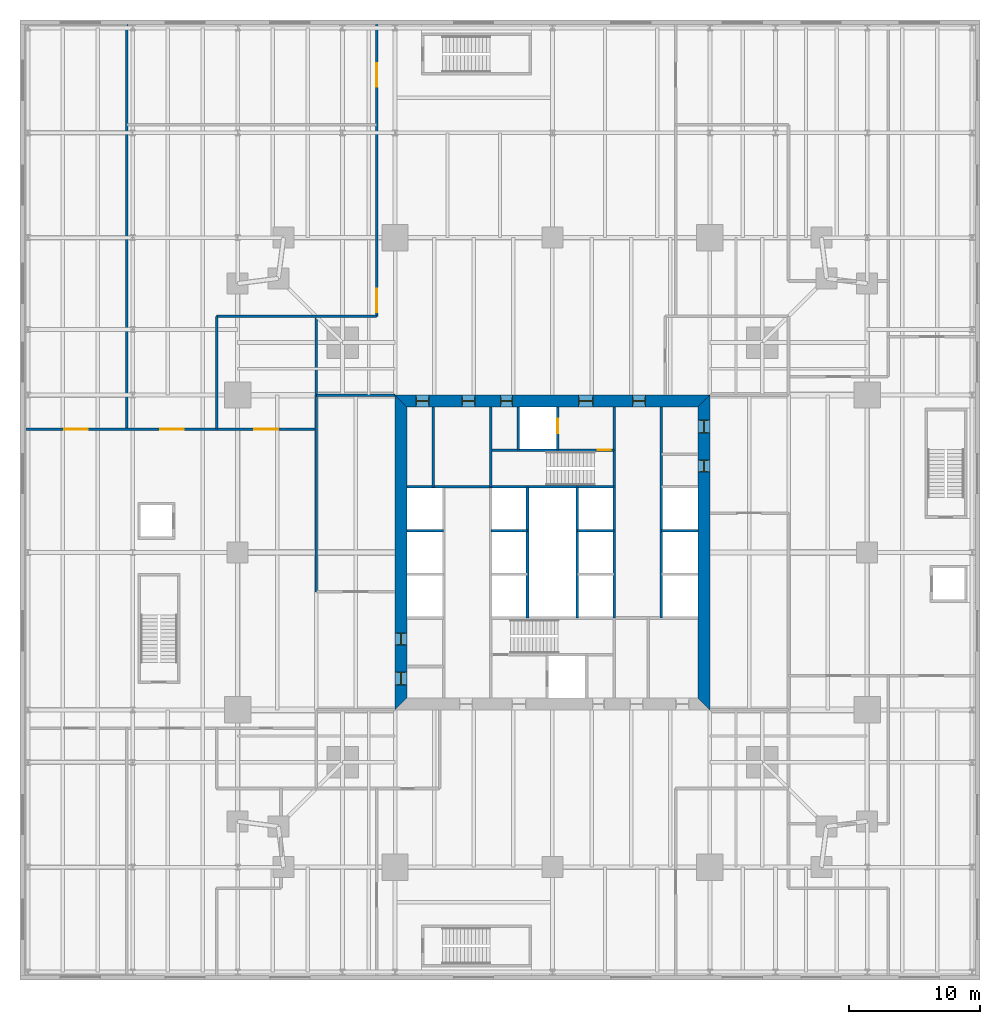
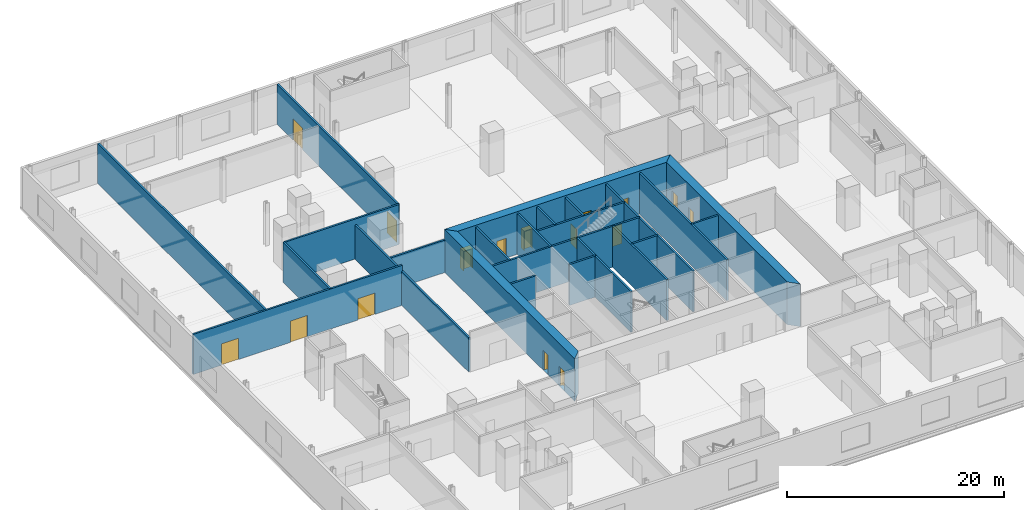
# One storey, part 11 of 16: 24 walls, 16 doors, 16 openings.
"""IFC4 building model written with IfcOpenShell, lengths in metres."""

from ifc_helpers import new_model, si_unit, direction, frame, frame_2d, origin, place, context, subcontext, project, spatial, polyline, rectangle, outline, extrude, material, layer, layer_set, type_object, element, fill, save


model = new_model("IFC4")

# Units and contexts
model_context = context("Model", 3, precision=1e-05, world=origin(), true_north=direction((0.0, 1.0)))
body_context = subcontext(model_context, "Body", "Model", "MODEL_VIEW")
ifc_project = project(units=[si_unit("LENGTHUNIT", "METRE"), si_unit("AREAUNIT", "SQUARE_METRE"), si_unit("VOLUMEUNIT", "CUBIC_METRE"), si_unit("PLANEANGLEUNIT", "RADIAN"), si_unit("MASSUNIT", "GRAM", prefix="KILO")], contexts=[model_context])

# Site, building, storey
site_placement = place(None, origin())
site = spatial("IfcSite", under=ifc_project, at=site_placement, CompositionType="ELEMENT")
building_placement = place(site_placement, origin())
building = spatial("IfcBuilding", under=site, at=building_placement, Name="Fenwick Lantern Interchange", CompositionType="ELEMENT")
storey_placement = place(building_placement, frame((0.0, 0.0, 16.60009765625)))
storey = spatial("IfcBuildingStorey", under=building, at=storey_placement, Name="L03", CompositionType="ELEMENT", Elevation=16.60009765625)

# Walls
ifc_material_1 = material(Name="Concrete masonry ASTM C90 Grade N", Category="masonry")
ifc_layer_1 = layer(ifc_material_1, 0.199951171875)
ifc_layer_set_1 = layer_set([ifc_layer_1], Name="Concrete masonry ASTM C90 Grade N")
wall_type_1 = type_object("IfcWallType", Name="CORE PARTITION 200", PredefinedType="PARTITIONING", material=ifc_layer_set_1)
for number, where, z_axis, x_axis, name in (
    (1, (13.89990234375, 26.666748046875, 0.0), (0.0, 0.0, 1.0), (1.0, 0.0, 0.0), "L03/W/CORES/d2"),
    (2, (20.300048828125, 26.666748046875, 0.0), (0.0, 0.0, 1.0), (1.0, 0.0, 0.0), "L03/W/CORES/e2"),
):
    element("IfcWall", number, at=place(storey_placement, frame(where, z_axis=z_axis, x_axis=x_axis)), inside=storey, type_object=wall_type_1, Name=name, PredefinedType="PARTITIONING", context=body_context, shape_type="SweptSolid", body=[
        extrude(rectangle(XDim=2.800048828125, YDim=0.199951171875, at=frame_2d((1.39990234375, 0.0))), origin(), (0.0, 0.0, 1.0), 4.599853515625),
    ])
wall_1_placement = place(storey_placement, frame((23.10009765625, 20.0, 0.0), z_axis=(0.0, 0.0, 1.0), x_axis=(0.0, 1.0, 0.0)))
element("IfcWall", 3, at=wall_1_placement, inside=storey, type_object=wall_type_1, Name="L03/W/CORES/e3", PredefinedType="PARTITIONING", context=body_context, shape_type="SweptSolid", body=[
    extrude(rectangle(XDim=10.0, YDim=0.199951171875, at=frame_2d((5.0, 0.0))), origin(), (0.0, 0.0, 1.0), 4.599853515625),
])
wall_2_placement = place(storey_placement, frame((33.300048828125, 36.10009765625, 0.0), z_axis=(0.0, 0.0, 1.0), x_axis=(0.0, -1.0, 0.0)))
element("IfcWall", 4, at=wall_2_placement, inside=storey, type_object=wall_type_1, Name="L03/W/COREN/a", PredefinedType="PARTITIONING", context=body_context, shape_type="SweptSolid", body=[
    extrude(rectangle(XDim=16.10009765625, YDim=0.199951171875, at=frame_2d((8.050048828125, 0.0))), origin(), (0.0, 0.0, 1.0), 4.599853515625),
])
for number, where, z_axis, x_axis, name in (
    (5, (36.10009765625, 26.666748046875, 0.0), (0.0, 0.0, 1.0), (-1.0, 0.0, 0.0), "L03/W/COREN/d1"),
    (6, (29.699951171875, 26.666748046875, 0.0), (0.0, 0.0, 1.0), (-1.0, 0.0, 0.0), "L03/W/COREN/e1"),
):
    element("IfcWall", number, at=place(storey_placement, frame(where, z_axis=z_axis, x_axis=x_axis)), inside=storey, type_object=wall_type_1, Name=name, PredefinedType="PARTITIONING", context=body_context, shape_type="SweptSolid", body=[
        extrude(rectangle(XDim=2.800048828125, YDim=0.199951171875, at=frame_2d((1.39990234375, 0.0))), origin(), (0.0, 0.0, 1.0), 4.599853515625),
    ])
wall_3_placement = place(storey_placement, frame((26.89990234375, 30.0, 0.0), z_axis=(0.0, 0.0, 1.0), x_axis=(0.0, -1.0, 0.0)))
element("IfcWall", 7, at=wall_3_placement, inside=storey, type_object=wall_type_1, Name="L03/W/COREN/e3", PredefinedType="PARTITIONING", context=body_context, shape_type="SweptSolid", body=[
    extrude(rectangle(XDim=10.0, YDim=0.199951171875, at=frame_2d((5.0, 0.0))), origin(), (0.0, 0.0, 1.0), 4.599853515625),
])

# Wall, opening, door
wall_4_placement = place(storey_placement, frame((25.39990234375, 36.10009765625, 0.0), z_axis=(0.0, 0.0, 1.0), x_axis=(0.0, -1.0, 0.0)))
wall_4 = element("IfcWall", 8, at=wall_4_placement, inside=storey, type_object=wall_type_1, Name="L03/W/COREN/h1", PredefinedType="PARTITIONING", context=body_context, shape_type="SweptSolid", body=[
    extrude(rectangle(XDim=3.300048828125, YDim=0.199951171875, at=frame_2d((1.64990234375, 0.0))), origin(), (0.0, 0.0, 1.0), 4.599853515625),
])
opening_1_placement = place(wall_4_placement, frame((0.89990234375, 0.0, 0.0)))
opening_1 = element("IfcOpeningElement", 9, at=opening_1_placement, cuts=wall_4, Name="Opening LD-FL2", PredefinedType="OPENING", context=body_context, shape_type="SweptSolid", body=[
    extrude(rectangle(XDim=1.10009765625, YDim=2.199951171875, at=frame_2d((0.550048828125, 1.10009765625))), frame((0.0, 0.10986328125, 0.0), z_axis=(0.0, -1.0, 0.0), x_axis=(1.0, 0.0, 0.0)), (0.0, 0.0, 1.0), 0.219970703125),
])
ifc_material_2 = material(Name="Steel door and frame", Category="steel")
door_type_1 = type_object("IfcDoorType", Name="LIFT LANDING DOOR 1100 X 2200", OperationType="DOUBLE_DOOR_SLIDING", PredefinedType="DOOR", material=ifc_material_2)
door_1_placement = place(opening_1_placement, origin())
door_1 = element("IfcDoor", 10, at=door_1_placement, inside=storey, type_object=door_type_1, Name="Lift landing door FL2", OperationType="DOUBLE_DOOR_SLIDING", OverallHeight=2.199951171875, OverallWidth=1.10009765625, PredefinedType="DOOR", context=body_context, shape_type="SweptSolid", body=[
    extrude(rectangle(XDim=1.10009765625, YDim=2.199951171875, at=frame_2d((0.550048828125, 1.10009765625))), frame((0.0, 0.02490234375, 0.0), z_axis=(0.0, -1.0, 0.0), x_axis=(1.0, 0.0, 0.0)), (0.0, 0.0, 1.0), 0.050048828125),
])
fill(opening_1, door_1)

# Walls
wall_5_placement = place(storey_placement, frame((22.39990234375, 36.10009765625, 0.0), z_axis=(0.0, 0.0, 1.0), x_axis=(0.0, -1.0, 0.0)))
element("IfcWall", 11, at=wall_5_placement, inside=storey, type_object=wall_type_1, Name="L03/W/COREN/h2", PredefinedType="PARTITIONING", context=body_context, shape_type="SweptSolid", body=[
    extrude(rectangle(XDim=3.300048828125, YDim=0.199951171875, at=frame_2d((1.64990234375, 0.0))), origin(), (0.0, 0.0, 1.0), 4.599853515625),
])
wall_6_placement = place(storey_placement, frame((15.89990234375, 36.10009765625, 0.0), z_axis=(0.0, 0.0, 1.0), x_axis=(0.0, -1.0, 0.0)))
element("IfcWall", 12, at=wall_6_placement, inside=storey, type_object=wall_type_1, Name="L03/W/COREN/i2", PredefinedType="PARTITIONING", context=body_context, shape_type="SweptSolid", body=[
    extrude(rectangle(XDim=6.10009765625, YDim=0.199951171875, at=frame_2d((3.050048828125, 0.0))), origin(), (0.0, 0.0, 1.0), 4.599853515625),
])

# Wall, openings, doors
ifc_material_3 = material(Name="Concrete f'c 70 MPa", Category="concrete")
ifc_layer_2 = layer(ifc_material_3, 0.89990234375)
ifc_layer_set_2 = layer_set([ifc_layer_2], Name="CORE WALL 900")
wall_type_2 = type_object("IfcWallType", Name="CORE WALL 900", PredefinedType="SHEAR", material=ifc_layer_set_2)
wall_7_placement = place(storey_placement, frame((36.550048828125, 13.89990234375, 0.0), z_axis=(0.0, 0.0, 1.0), x_axis=(0.0, 1.0, 0.0)))
wall_7 = element("IfcWall", 13, at=wall_7_placement, inside=storey, type_object=wall_type_2, Name="L03/CORE/E", PredefinedType="SHEAR", context=body_context, shape_type="SweptSolid", body=[
    extrude(outline(polyline([(-0.89990234375, -0.449951171875), (23.10009765625, -0.449951171875), (22.199951171875, 0.449951171875), (0.0, 0.449951171875), (-0.89990234375, -0.449951171875)])), origin(), (0.0, 0.0, 1.0), 4.7998046875),
])
opening_2_placement = place(wall_7_placement, frame((20.199951171875, 0.0, 0.0)))
opening_2 = element("IfcOpeningElement", 14, at=opening_2_placement, cuts=wall_7, Name="Opening L03-D015", PredefinedType="OPENING", context=body_context, shape_type="SweptSolid", body=[
    extrude(rectangle(XDim=1.0, YDim=2.199951171875, at=frame_2d((0.5, 1.10009765625))), frame((0.0, 0.4599609375, 0.0), z_axis=(0.0, -1.0, 0.0), x_axis=(1.0, 0.0, 0.0)), (0.0, 0.0, 1.0), 0.919921875),
])
opening_3_placement = place(wall_7_placement, frame((17.25, 0.0, 0.0)))
opening_3 = element("IfcOpeningElement", 15, at=opening_3_placement, cuts=wall_7, Name="Opening L03-D016", PredefinedType="OPENING", context=body_context, shape_type="SweptSolid", body=[
    extrude(rectangle(XDim=0.89990234375, YDim=2.199951171875, at=frame_2d((0.449951171875, 1.10009765625))), frame((0.0, 0.4599609375, 0.0), z_axis=(0.0, -1.0, 0.0), x_axis=(1.0, 0.0, 0.0)), (0.0, 0.0, 1.0), 0.919921875),
])
door_type_2 = type_object("IfcDoorType", Name="SERVICE DOOR 900 X 2200", OperationType="SINGLE_SWING_LEFT", PredefinedType="DOOR", material=ifc_material_2)
door_2_placement = place(opening_3_placement, origin())
door_2 = element("IfcDoor", 16, at=door_2_placement, inside=storey, type_object=door_type_2, Name="Service door", OperationType="SINGLE_SWING_RIGHT", OverallHeight=2.199951171875, OverallWidth=0.89990234375, PredefinedType="DOOR", context=body_context, shape_type="SweptSolid", body=[
    extrude(rectangle(XDim=0.89990234375, YDim=2.199951171875, at=frame_2d((0.449951171875, 1.10009765625))), frame((0.0, 0.02490234375, 0.0), z_axis=(0.0, -1.0, 0.0), x_axis=(1.0, 0.0, 0.0)), (0.0, 0.0, 1.0), 0.050048828125),
    extrude(outline(polyline([(0.0, 0.0), (0.0400390625, 0.0), (0.0400390625, 2.159912109375), (0.85986328125, 2.159912109375), (0.85986328125, 0.0), (0.89990234375, 0.0), (0.89990234375, 2.199951171875), (0.0, 2.199951171875), (0.0, 0.0)])), frame((0.0, 0.300048828125, 0.0), z_axis=(0.0, -1.0, 0.0), x_axis=(1.0, 0.0, 0.0)), (0.0, 0.0, 1.0), 0.60009765625),
])
fill(opening_3, door_2)
ifc_material_4 = material(Name="Hardwood door and steel frame", Category="steel")
door_type_3 = type_object("IfcDoorType", Name="WC DOOR 1000 X 2200", OperationType="SINGLE_SWING_LEFT", PredefinedType="DOOR", material=ifc_material_4)
door_3_placement = place(opening_2_placement, origin())
door_3 = element("IfcDoor", 17, at=door_3_placement, inside=storey, type_object=door_type_3, Name="Wc door", OperationType="SINGLE_SWING_RIGHT", OverallHeight=2.199951171875, OverallWidth=1.0, PredefinedType="DOOR", context=body_context, shape_type="SweptSolid", body=[
    extrude(rectangle(XDim=1.0, YDim=2.199951171875, at=frame_2d((0.5, 1.10009765625))), frame((0.0, 0.02490234375, 0.0), z_axis=(0.0, -1.0, 0.0), x_axis=(1.0, 0.0, 0.0)), (0.0, 0.0, 1.0), 0.050048828125),
    extrude(outline(polyline([(0.0, 0.0), (0.0400390625, 0.0), (0.0400390625, 2.159912109375), (0.9599609375, 2.159912109375), (0.9599609375, 0.0), (1.0, 0.0), (1.0, 2.199951171875), (0.0, 2.199951171875), (0.0, 0.0)])), frame((0.0, 0.300048828125, 0.0), z_axis=(0.0, -1.0, 0.0), x_axis=(1.0, 0.0, 0.0)), (0.0, 0.0, 1.0), 0.60009765625),
])
fill(opening_2, door_3)

wall_8_placement = place(storey_placement, frame((37.0, 36.550048828125, 0.0), z_axis=(0.0, 0.0, 1.0), x_axis=(-1.0, 0.0, 0.0)))
wall_8 = element("IfcWall", 18, at=wall_8_placement, inside=storey, type_object=wall_type_2, Name="L03/CORE/N", PredefinedType="SHEAR", context=body_context, shape_type="SweptSolid", body=[
    extrude(outline(polyline([(0.0, -0.449951171875), (24.0, -0.449951171875), (23.10009765625, 0.449951171875), (0.89990234375, 0.449951171875), (0.0, -0.449951171875)])), origin(), (0.0, 0.0, 1.0), 4.7998046875),
])
opening_4_placement = place(wall_8_placement, frame((4.89990234375, 0.0, 0.0)))
opening_4 = element("IfcOpeningElement", 19, at=opening_4_placement, cuts=wall_8, Name="Opening L03-D009", PredefinedType="OPENING", context=body_context, shape_type="SweptSolid", body=[
    extrude(rectangle(XDim=1.0, YDim=2.199951171875, at=frame_2d((0.5, 1.10009765625))), frame((0.0, 0.4599609375, 0.0), z_axis=(0.0, -1.0, 0.0), x_axis=(1.0, 0.0, 0.0)), (0.0, 0.0, 1.0), 0.919921875),
])
opening_5_placement = place(wall_8_placement, frame((8.89990234375, 0.0, 0.0)))
opening_5 = element("IfcOpeningElement", 20, at=opening_5_placement, cuts=wall_8, Name="Opening L03-D010", PredefinedType="OPENING", context=body_context, shape_type="SweptSolid", body=[
    extrude(rectangle(XDim=1.10009765625, YDim=2.199951171875, at=frame_2d((0.550048828125, 1.10009765625))), frame((0.0, 0.4599609375, 0.0), z_axis=(0.0, -1.0, 0.0), x_axis=(1.0, 0.0, 0.0)), (0.0, 0.0, 1.0), 0.919921875),
])
opening_6_placement = place(wall_8_placement, frame((15.050048828125, 0.0, 0.0)))
opening_6 = element("IfcOpeningElement", 21, at=opening_6_placement, cuts=wall_8, Name="Opening L03-D012", PredefinedType="OPENING", context=body_context, shape_type="SweptSolid", body=[
    extrude(rectangle(XDim=0.89990234375, YDim=2.199951171875, at=frame_2d((0.449951171875, 1.10009765625))), frame((0.0, 0.4599609375, 0.0), z_axis=(0.0, -1.0, 0.0), x_axis=(1.0, 0.0, 0.0)), (0.0, 0.0, 1.0), 0.919921875),
])
opening_7_placement = place(wall_8_placement, frame((17.89990234375, 0.0, 0.0)))
opening_7 = element("IfcOpeningElement", 22, at=opening_7_placement, cuts=wall_8, Name="Opening L03-D013", PredefinedType="OPENING", context=body_context, shape_type="SweptSolid", body=[
    extrude(rectangle(XDim=1.0, YDim=2.199951171875, at=frame_2d((0.5, 1.10009765625))), frame((0.0, 0.4599609375, 0.0), z_axis=(0.0, -1.0, 0.0), x_axis=(1.0, 0.0, 0.0)), (0.0, 0.0, 1.0), 0.919921875),
])
opening_8_placement = place(wall_8_placement, frame((21.39990234375, 0.0, 0.0)))
opening_8 = element("IfcOpeningElement", 23, at=opening_8_placement, cuts=wall_8, Name="Opening L03-D014", PredefinedType="OPENING", context=body_context, shape_type="SweptSolid", body=[
    extrude(rectangle(XDim=1.0, YDim=2.199951171875, at=frame_2d((0.5, 1.10009765625))), frame((0.0, 0.4599609375, 0.0), z_axis=(0.0, -1.0, 0.0), x_axis=(1.0, 0.0, 0.0)), (0.0, 0.0, 1.0), 0.919921875),
])
door_type_4 = type_object("IfcDoorType", Name="CORE LOBBY DOOR 1000 X 2200", OperationType="SINGLE_SWING_LEFT", PredefinedType="DOOR", material=ifc_material_2)
door_4_placement = place(opening_4_placement, origin())
door_4 = element("IfcDoor", 24, at=door_4_placement, inside=storey, type_object=door_type_4, Name="Core lobby door", OperationType="SINGLE_SWING_LEFT", OverallHeight=2.199951171875, OverallWidth=1.0, PredefinedType="DOOR", context=body_context, shape_type="SweptSolid", body=[
    extrude(rectangle(XDim=1.0, YDim=2.199951171875, at=frame_2d((0.5, 1.10009765625))), frame((0.0, 0.02490234375, 0.0), z_axis=(0.0, -1.0, 0.0), x_axis=(1.0, 0.0, 0.0)), (0.0, 0.0, 1.0), 0.050048828125),
    extrude(outline(polyline([(0.0, 0.0), (0.0400390625, 0.0), (0.0400390625, 2.159912109375), (0.9599609375, 2.159912109375), (0.9599609375, 0.0), (1.0, 0.0), (1.0, 2.199951171875), (0.0, 2.199951171875), (0.0, 0.0)])), frame((0.0, 0.300048828125, 0.0), z_axis=(0.0, -1.0, 0.0), x_axis=(1.0, 0.0, 0.0)), (0.0, 0.0, 1.0), 0.60009765625),
])
fill(opening_4, door_4)
door_type_5 = type_object("IfcDoorType", Name="FIRE LOBBY DOOR 1100 X 2200", OperationType="SINGLE_SWING_LEFT", PredefinedType="DOOR", material=ifc_material_2)
door_5_placement = place(opening_5_placement, origin())
door_5 = element("IfcDoor", 25, at=door_5_placement, inside=storey, type_object=door_type_5, Name="Fire lobby door", OperationType="SINGLE_SWING_LEFT", OverallHeight=2.199951171875, OverallWidth=1.10009765625, PredefinedType="DOOR", context=body_context, shape_type="SweptSolid", body=[
    extrude(rectangle(XDim=1.10009765625, YDim=2.199951171875, at=frame_2d((0.550048828125, 1.10009765625))), frame((0.0, 0.02490234375, 0.0), z_axis=(0.0, -1.0, 0.0), x_axis=(1.0, 0.0, 0.0)), (0.0, 0.0, 1.0), 0.050048828125),
    extrude(outline(polyline([(0.0, 0.0), (0.0400390625, 0.0), (0.0400390625, 2.159912109375), (1.06005859375, 2.159912109375), (1.06005859375, 0.0), (1.10009765625, 0.0), (1.10009765625, 2.199951171875), (0.0, 2.199951171875), (0.0, 0.0)])), frame((0.0, 0.300048828125, 0.0), z_axis=(0.0, -1.0, 0.0), x_axis=(1.0, 0.0, 0.0)), (0.0, 0.0, 1.0), 0.60009765625),
])
fill(opening_5, door_5)
door_6_placement = place(opening_6_placement, origin())
door_6 = element("IfcDoor", 26, at=door_6_placement, inside=storey, type_object=door_type_2, Name="Service door", OperationType="SINGLE_SWING_LEFT", OverallHeight=2.199951171875, OverallWidth=0.89990234375, PredefinedType="DOOR", context=body_context, shape_type="SweptSolid", body=[
    extrude(rectangle(XDim=0.89990234375, YDim=2.199951171875, at=frame_2d((0.449951171875, 1.10009765625))), frame((0.0, 0.02490234375, 0.0), z_axis=(0.0, -1.0, 0.0), x_axis=(1.0, 0.0, 0.0)), (0.0, 0.0, 1.0), 0.050048828125),
    extrude(outline(polyline([(0.0, 0.0), (0.0400390625, 0.0), (0.0400390625, 2.159912109375), (0.85986328125, 2.159912109375), (0.85986328125, 0.0), (0.89990234375, 0.0), (0.89990234375, 2.199951171875), (0.0, 2.199951171875), (0.0, 0.0)])), frame((0.0, 0.300048828125, 0.0), z_axis=(0.0, -1.0, 0.0), x_axis=(1.0, 0.0, 0.0)), (0.0, 0.0, 1.0), 0.60009765625),
])
fill(opening_6, door_6)
door_7_placement = place(opening_7_placement, origin())
door_7 = element("IfcDoor", 27, at=door_7_placement, inside=storey, type_object=door_type_3, Name="Wc door", OperationType="SINGLE_SWING_LEFT", OverallHeight=2.199951171875, OverallWidth=1.0, PredefinedType="DOOR", context=body_context, shape_type="SweptSolid", body=[
    extrude(rectangle(XDim=1.0, YDim=2.199951171875, at=frame_2d((0.5, 1.10009765625))), frame((0.0, 0.02490234375, 0.0), z_axis=(0.0, -1.0, 0.0), x_axis=(1.0, 0.0, 0.0)), (0.0, 0.0, 1.0), 0.050048828125),
    extrude(outline(polyline([(0.0, 0.0), (0.0400390625, 0.0), (0.0400390625, 2.159912109375), (0.9599609375, 2.159912109375), (0.9599609375, 0.0), (1.0, 0.0), (1.0, 2.199951171875), (0.0, 2.199951171875), (0.0, 0.0)])), frame((0.0, 0.300048828125, 0.0), z_axis=(0.0, -1.0, 0.0), x_axis=(1.0, 0.0, 0.0)), (0.0, 0.0, 1.0), 0.60009765625),
])
fill(opening_7, door_7)
door_8_placement = place(opening_8_placement, origin())
door_8 = element("IfcDoor", 28, at=door_8_placement, inside=storey, type_object=door_type_3, Name="Wc door", OperationType="SINGLE_SWING_LEFT", OverallHeight=2.199951171875, OverallWidth=1.0, PredefinedType="DOOR", context=body_context, shape_type="SweptSolid", body=[
    extrude(rectangle(XDim=1.0, YDim=2.199951171875, at=frame_2d((0.5, 1.10009765625))), frame((0.0, 0.02490234375, 0.0), z_axis=(0.0, -1.0, 0.0), x_axis=(1.0, 0.0, 0.0)), (0.0, 0.0, 1.0), 0.050048828125),
    extrude(outline(polyline([(0.0, 0.0), (0.0400390625, 0.0), (0.0400390625, 2.159912109375), (0.9599609375, 2.159912109375), (0.9599609375, 0.0), (1.0, 0.0), (1.0, 2.199951171875), (0.0, 2.199951171875), (0.0, 0.0)])), frame((0.0, 0.300048828125, 0.0), z_axis=(0.0, -1.0, 0.0), x_axis=(1.0, 0.0, 0.0)), (0.0, 0.0, 1.0), 0.60009765625),
])
fill(opening_8, door_8)

wall_9_placement = place(storey_placement, frame((13.449951171875, 36.10009765625, 0.0), z_axis=(0.0, 0.0, 1.0), x_axis=(0.0, -1.0, 0.0)))
wall_9 = element("IfcWall", 29, at=wall_9_placement, inside=storey, type_object=wall_type_2, Name="L03/CORE/W", PredefinedType="SHEAR", context=body_context, shape_type="SweptSolid", body=[
    extrude(outline(polyline([(-0.89990234375, -0.449951171875), (23.10009765625, -0.449951171875), (22.199951171875, 0.449951171875), (0.0, 0.449951171875), (-0.89990234375, -0.449951171875)])), origin(), (0.0, 0.0, 1.0), 4.7998046875),
])
opening_9_placement = place(wall_9_placement, frame((20.199951171875, 0.0, 0.0)))
opening_9 = element("IfcOpeningElement", 30, at=opening_9_placement, cuts=wall_9, Name="Opening L03-D007", PredefinedType="OPENING", context=body_context, shape_type="SweptSolid", body=[
    extrude(rectangle(XDim=1.0, YDim=2.199951171875, at=frame_2d((0.5, 1.10009765625))), frame((0.0, 0.4599609375, 0.0), z_axis=(0.0, -1.0, 0.0), x_axis=(1.0, 0.0, 0.0)), (0.0, 0.0, 1.0), 0.919921875),
])
opening_10_placement = place(wall_9_placement, frame((17.25, 0.0, 0.0)))
opening_10 = element("IfcOpeningElement", 31, at=opening_10_placement, cuts=wall_9, Name="Opening L03-D008", PredefinedType="OPENING", context=body_context, shape_type="SweptSolid", body=[
    extrude(rectangle(XDim=0.89990234375, YDim=2.199951171875, at=frame_2d((0.449951171875, 1.10009765625))), frame((0.0, 0.4599609375, 0.0), z_axis=(0.0, -1.0, 0.0), x_axis=(1.0, 0.0, 0.0)), (0.0, 0.0, 1.0), 0.919921875),
])
door_9_placement = place(opening_10_placement, origin())
door_9 = element("IfcDoor", 32, at=door_9_placement, inside=storey, type_object=door_type_2, Name="Service door", OperationType="SINGLE_SWING_LEFT", OverallHeight=2.199951171875, OverallWidth=0.89990234375, PredefinedType="DOOR", context=body_context, shape_type="SweptSolid", body=[
    extrude(rectangle(XDim=0.89990234375, YDim=2.199951171875, at=frame_2d((0.449951171875, 1.10009765625))), frame((0.0, 0.02490234375, 0.0), z_axis=(0.0, -1.0, 0.0), x_axis=(1.0, 0.0, 0.0)), (0.0, 0.0, 1.0), 0.050048828125),
    extrude(outline(polyline([(0.0, 0.0), (0.0400390625, 0.0), (0.0400390625, 2.159912109375), (0.85986328125, 2.159912109375), (0.85986328125, 0.0), (0.89990234375, 0.0), (0.89990234375, 2.199951171875), (0.0, 2.199951171875), (0.0, 0.0)])), frame((0.0, 0.300048828125, 0.0), z_axis=(0.0, -1.0, 0.0), x_axis=(1.0, 0.0, 0.0)), (0.0, 0.0, 1.0), 0.60009765625),
])
fill(opening_10, door_9)
door_10_placement = place(opening_9_placement, origin())
door_10 = element("IfcDoor", 33, at=door_10_placement, inside=storey, type_object=door_type_3, Name="Wc door", OperationType="SINGLE_SWING_LEFT", OverallHeight=2.199951171875, OverallWidth=1.0, PredefinedType="DOOR", context=body_context, shape_type="SweptSolid", body=[
    extrude(rectangle(XDim=1.0, YDim=2.199951171875, at=frame_2d((0.5, 1.10009765625))), frame((0.0, 0.02490234375, 0.0), z_axis=(0.0, -1.0, 0.0), x_axis=(1.0, 0.0, 0.0)), (0.0, 0.0, 1.0), 0.050048828125),
    extrude(outline(polyline([(0.0, 0.0), (0.0400390625, 0.0), (0.0400390625, 2.159912109375), (0.9599609375, 2.159912109375), (0.9599609375, 0.0), (1.0, 0.0), (1.0, 2.199951171875), (0.0, 2.199951171875), (0.0, 0.0)])), frame((0.0, 0.300048828125, 0.0), z_axis=(0.0, -1.0, 0.0), x_axis=(1.0, 0.0, 0.0)), (0.0, 0.0, 1.0), 0.60009765625),
])
fill(opening_9, door_10)

# Walls
ifc_material_5 = material(Name="Gypsum board on steel studs, 1 hour", Category="steel")
ifc_layer_3 = layer(ifc_material_5, 0.199951171875)
ifc_layer_set_3 = layer_set([ifc_layer_3], Name="ROOM WALL 200")
wall_type_3 = type_object("IfcWallType", Name="ROOM WALL 200", PredefinedType="PARTITIONING", material=ifc_layer_set_3)
wall_10_placement = place(storey_placement, frame((-7.449951171875, 34.39990234375, 0.0), z_axis=(0.0, 0.0, 1.0), x_axis=(0.0, 1.0, 0.0)))
element("IfcWall", 34, at=wall_10_placement, inside=storey, type_object=wall_type_3, Name="L03/W/POD/X-7.45-2", PredefinedType="PARTITIONING", context=body_context, shape_type="SweptSolid", body=[
    extrude(rectangle(XDim=30.85009765625, YDim=0.199951171875, at=frame_2d((15.425048828125, 0.0))), origin(), (0.0, 0.0, 1.0), 4.5),
])
wall_11_placement = place(storey_placement, frame((-0.60009765625, 34.39990234375, 0.0), z_axis=(0.0, 0.0, 1.0), x_axis=(0.0, 1.0, 0.0)))
element("IfcWall", 35, at=wall_11_placement, inside=storey, type_object=wall_type_3, Name="L03/W/POD/X-0.6-3", PredefinedType="PARTITIONING", context=body_context, shape_type="SweptSolid", body=[
    extrude(rectangle(XDim=8.60009765625, YDim=0.199951171875, at=frame_2d((4.300048828125, 0.0))), origin(), (0.0, 0.0, 1.0), 4.5),
])
wall_12_placement = place(storey_placement, frame((7.0, 22.0, 0.0), z_axis=(0.0, 0.0, 1.0), x_axis=(0.0, 1.0, 0.0)))
element("IfcWall", 36, at=wall_12_placement, inside=storey, type_object=wall_type_3, Name="L03/W/POD/X7-2", PredefinedType="PARTITIONING", context=body_context, shape_type="SweptSolid", body=[
    extrude(rectangle(XDim=21.0, YDim=0.199951171875, at=frame_2d((10.5, 0.0))), origin(), (0.0, 0.0, 1.0), 3.843017578125),
])

# Wall, openings, doors
wall_13_placement = place(storey_placement, frame((11.60009765625, 43.0, 0.0), z_axis=(0.0, 0.0, 1.0), x_axis=(0.0, 1.0, 0.0)))
wall_13 = element("IfcWall", 37, at=wall_13_placement, inside=storey, type_object=wall_type_3, Name="L03/W/POD/X11.6-2", PredefinedType="PARTITIONING", context=body_context, shape_type="SweptSolid", body=[
    extrude(rectangle(XDim=22.25, YDim=0.199951171875, at=frame_2d((11.125, 0.0))), origin(), (0.0, 0.0, 1.0), 4.5),
])
opening_11_placement = place(wall_13_placement, frame((0.300048828125, 0.0, 0.0)))
opening_11 = element("IfcOpeningElement", 38, at=opening_11_placement, cuts=wall_13, Name="Opening L03-D033", PredefinedType="OPENING", context=body_context, shape_type="SweptSolid", body=[
    extrude(rectangle(XDim=1.800048828125, YDim=2.39990234375, at=frame_2d((0.89990234375, 1.199951171875))), frame((0.0, 0.10986328125, 0.0), z_axis=(0.0, -1.0, 0.0), x_axis=(1.0, 0.0, 0.0)), (0.0, 0.0, 1.0), 0.219970703125),
])
opening_12_placement = place(wall_13_placement, frame((17.5, 0.0, 0.0)))
opening_12 = element("IfcOpeningElement", 39, at=opening_12_placement, cuts=wall_13, Name="Opening L03-D035", PredefinedType="OPENING", context=body_context, shape_type="SweptSolid", body=[
    extrude(rectangle(XDim=1.800048828125, YDim=2.39990234375, at=frame_2d((0.89990234375, 1.199951171875))), frame((0.0, 0.10986328125, 0.0), z_axis=(0.0, -1.0, 0.0), x_axis=(1.0, 0.0, 0.0)), (0.0, 0.0, 1.0), 0.219970703125),
])
door_type_6 = type_object("IfcDoorType", Name="ROOM DOOR PAIR 1800 X 2400", OperationType="DOUBLE_DOOR_SINGLE_SWING", PredefinedType="DOOR", material=ifc_material_2)
door_11_placement = place(opening_11_placement, frame((1.800048828125, 0.0, 0.0), z_axis=(0.0, 0.0, 1.0), x_axis=(-1.0, 0.0, 0.0)))
door_11 = element("IfcDoor", 40, at=door_11_placement, inside=storey, type_object=door_type_6, Name="Room door pair", OperationType="DOUBLE_DOOR_SINGLE_SWING", OverallHeight=2.39990234375, OverallWidth=1.800048828125, PredefinedType="DOOR", context=body_context, shape_type="SweptSolid", body=[
    extrude(rectangle(XDim=1.800048828125, YDim=2.39990234375, at=frame_2d((0.89990234375, 1.199951171875))), frame((0.0, 0.02490234375, 0.0), z_axis=(0.0, -1.0, 0.0), x_axis=(1.0, 0.0, 0.0)), (0.0, 0.0, 1.0), 0.050048828125),
])
fill(opening_11, door_11)
door_12_placement = place(opening_12_placement, frame((1.800048828125, 0.0, 0.0), z_axis=(0.0, 0.0, 1.0), x_axis=(-1.0, 0.0, 0.0)))
door_12 = element("IfcDoor", 41, at=door_12_placement, inside=storey, type_object=door_type_6, Name="Room door pair", OperationType="DOUBLE_DOOR_SINGLE_SWING", OverallHeight=2.39990234375, OverallWidth=1.800048828125, PredefinedType="DOOR", context=body_context, shape_type="SweptSolid", body=[
    extrude(rectangle(XDim=1.800048828125, YDim=2.39990234375, at=frame_2d((0.89990234375, 1.199951171875))), frame((0.0, 0.02490234375, 0.0), z_axis=(0.0, -1.0, 0.0), x_axis=(1.0, 0.0, 0.0)), (0.0, 0.0, 1.0), 0.050048828125),
])
fill(opening_12, door_12)

wall_14_placement = place(storey_placement, frame((-15.25, 34.39990234375, 0.0), z_axis=(0.0, 0.0, 1.0), x_axis=(1.0, 0.0, 0.0)))
wall_14 = element("IfcWall", 42, at=wall_14_placement, inside=storey, type_object=wall_type_3, Name="L03/W/POD/Y34.4-1", PredefinedType="PARTITIONING", context=body_context, shape_type="SweptSolid", body=[
    extrude(rectangle(XDim=22.25, YDim=0.199951171875, at=frame_2d((11.125, 0.0))), origin(), (0.0, 0.0, 1.0), 4.5),
])
opening_13_placement = place(wall_14_placement, frame((17.52490234375, 0.0, 0.0)))
opening_13 = element("IfcOpeningElement", 43, at=opening_13_placement, cuts=wall_14, Name="Opening L03-D031", PredefinedType="OPENING", context=body_context, shape_type="SweptSolid", body=[
    extrude(rectangle(XDim=1.800048828125, YDim=2.39990234375, at=frame_2d((0.89990234375, 1.199951171875))), frame((0.0, 0.10986328125, 0.0), z_axis=(0.0, -1.0, 0.0), x_axis=(1.0, 0.0, 0.0)), (0.0, 0.0, 1.0), 0.219970703125),
])
opening_14_placement = place(wall_14_placement, frame((10.324951171875, 0.0, 0.0)))
opening_14 = element("IfcOpeningElement", 44, at=opening_14_placement, cuts=wall_14, Name="Opening L03-D032", PredefinedType="OPENING", context=body_context, shape_type="SweptSolid", body=[
    extrude(rectangle(XDim=1.800048828125, YDim=2.39990234375, at=frame_2d((0.89990234375, 1.199951171875))), frame((0.0, 0.10986328125, 0.0), z_axis=(0.0, -1.0, 0.0), x_axis=(1.0, 0.0, 0.0)), (0.0, 0.0, 1.0), 0.219970703125),
])
opening_15_placement = place(wall_14_placement, frame((3.02490234375, 0.0, 0.0)))
opening_15 = element("IfcOpeningElement", 45, at=opening_15_placement, cuts=wall_14, Name="Opening L03-D034", PredefinedType="OPENING", context=body_context, shape_type="SweptSolid", body=[
    extrude(rectangle(XDim=1.800048828125, YDim=2.39990234375, at=frame_2d((0.89990234375, 1.199951171875))), frame((0.0, 0.10986328125, 0.0), z_axis=(0.0, -1.0, 0.0), x_axis=(1.0, 0.0, 0.0)), (0.0, 0.0, 1.0), 0.219970703125),
])
door_13_placement = place(opening_13_placement, frame((1.800048828125, 0.0, 0.0), z_axis=(0.0, 0.0, 1.0), x_axis=(-1.0, 0.0, 0.0)))
door_13 = element("IfcDoor", 46, at=door_13_placement, inside=storey, type_object=door_type_6, Name="Room door pair", OperationType="DOUBLE_DOOR_SINGLE_SWING", OverallHeight=2.39990234375, OverallWidth=1.800048828125, PredefinedType="DOOR", context=body_context, shape_type="SweptSolid", body=[
    extrude(rectangle(XDim=1.800048828125, YDim=2.39990234375, at=frame_2d((0.89990234375, 1.199951171875))), frame((0.0, 0.02490234375, 0.0), z_axis=(0.0, -1.0, 0.0), x_axis=(1.0, 0.0, 0.0)), (0.0, 0.0, 1.0), 0.050048828125),
])
fill(opening_13, door_13)
door_14_placement = place(opening_14_placement, frame((1.800048828125, 0.0, 0.0), z_axis=(0.0, 0.0, 1.0), x_axis=(-1.0, 0.0, 0.0)))
door_14 = element("IfcDoor", 47, at=door_14_placement, inside=storey, type_object=door_type_6, Name="Room door pair", OperationType="DOUBLE_DOOR_SINGLE_SWING", OverallHeight=2.39990234375, OverallWidth=1.800048828125, PredefinedType="DOOR", context=body_context, shape_type="SweptSolid", body=[
    extrude(rectangle(XDim=1.800048828125, YDim=2.39990234375, at=frame_2d((0.89990234375, 1.199951171875))), frame((0.0, 0.02490234375, 0.0), z_axis=(0.0, -1.0, 0.0), x_axis=(1.0, 0.0, 0.0)), (0.0, 0.0, 1.0), 0.050048828125),
])
fill(opening_14, door_14)
door_15_placement = place(opening_15_placement, frame((1.800048828125, 0.0, 0.0), z_axis=(0.0, 0.0, 1.0), x_axis=(-1.0, 0.0, 0.0)))
door_15 = element("IfcDoor", 48, at=door_15_placement, inside=storey, type_object=door_type_6, Name="Room door pair", OperationType="DOUBLE_DOOR_SINGLE_SWING", OverallHeight=2.39990234375, OverallWidth=1.800048828125, PredefinedType="DOOR", context=body_context, shape_type="SweptSolid", body=[
    extrude(rectangle(XDim=1.800048828125, YDim=2.39990234375, at=frame_2d((0.89990234375, 1.199951171875))), frame((0.0, 0.02490234375, 0.0), z_axis=(0.0, -1.0, 0.0), x_axis=(1.0, 0.0, 0.0)), (0.0, 0.0, 1.0), 0.050048828125),
])
fill(opening_15, door_15)

# Walls
wall_15_placement = place(storey_placement, frame((7.0, 37.0, 0.0), z_axis=(0.0, 0.0, 1.0), x_axis=(1.0, 0.0, 0.0)))
element("IfcWall", 49, at=wall_15_placement, inside=storey, type_object=wall_type_3, Name="L03/W/POD/Y37-1", PredefinedType="PARTITIONING", context=body_context, shape_type="SweptSolid", body=[
    extrude(rectangle(XDim=6.0, YDim=0.199951171875, at=frame_2d((3.0, 0.0))), origin(), (0.0, 0.0, 1.0), 3.652587890625),
])
wall_16_placement = place(storey_placement, frame((-0.60009765625, 43.0, 0.0), z_axis=(0.0, 0.0, 1.0), x_axis=(1.0, 0.0, 0.0)))
element("IfcWall", 50, at=wall_16_placement, inside=storey, type_object=wall_type_3, Name="L03/W/POD/Y43-1", PredefinedType="PARTITIONING", context=body_context, shape_type="SweptSolid", body=[
    extrude(rectangle(XDim=12.2001953125, YDim=0.199951171875, at=frame_2d((6.10009765625, 0.0))), origin(), (0.0, 0.0, 1.0), 4.5),
])
ifc_material_6 = material(Name="Concrete f'c 45 MPa", Category="concrete")
ifc_layer_4 = layer(ifc_material_6, 0.199951171875)
ifc_layer_set_4 = layer_set([ifc_layer_4], Name="STAIR CORE WALL 200")
wall_type_4 = type_object("IfcWallType", Name="STAIR CORE WALL 200", PredefinedType="SOLIDWALL", material=ifc_layer_set_4)
wall_17_placement = place(storey_placement, frame((29.699951171875, 36.10009765625, 0.0), z_axis=(0.0, 0.0, 1.0), x_axis=(0.0, -1.0, 0.0)))
element("IfcWall", 51, at=wall_17_placement, inside=storey, type_object=wall_type_4, Name="L03/W/COREN/b", PredefinedType="SOLIDWALL", context=body_context, shape_type="SweptSolid", body=[
    extrude(rectangle(XDim=16.10009765625, YDim=0.199951171875, at=frame_2d((8.050048828125, 0.0))), origin(), (0.0, 0.0, 1.0), 4.599853515625),
])

# Wall, opening, door
wall_18_placement = place(storey_placement, frame((29.699951171875, 32.800048828125, 0.0), z_axis=(0.0, 0.0, 1.0), x_axis=(-1.0, 0.0, 0.0)))
wall_18 = element("IfcWall", 52, at=wall_18_placement, inside=storey, type_object=wall_type_4, Name="L03/W/COREN/g1", PredefinedType="SOLIDWALL", context=body_context, shape_type="SweptSolid", body=[
    extrude(rectangle(XDim=9.39990234375, YDim=0.199951171875, at=frame_2d((4.699951171875, 0.0))), origin(), (0.0, 0.0, 1.0), 4.599853515625),
])
opening_16_placement = place(wall_18_placement, frame((0.25, 0.0, 0.0)))
opening_16 = element("IfcOpeningElement", 53, at=opening_16_placement, cuts=wall_18, Name="Opening L03-D011", PredefinedType="OPENING", context=body_context, shape_type="SweptSolid", body=[
    extrude(rectangle(XDim=1.0, YDim=2.199951171875, at=frame_2d((0.5, 1.10009765625))), frame((0.0, 0.10986328125, 0.0), z_axis=(0.0, -1.0, 0.0), x_axis=(1.0, 0.0, 0.0)), (0.0, 0.0, 1.0), 0.219970703125),
])
door_type_7 = type_object("IfcDoorType", Name="STAIR DOOR 1000 X 2200", OperationType="SINGLE_SWING_LEFT", PredefinedType="DOOR", material=ifc_material_2)
door_16_placement = place(opening_16_placement, origin())
door_16 = element("IfcDoor", 54, at=door_16_placement, inside=storey, type_object=door_type_7, Name="Stair door", OperationType="SINGLE_SWING_LEFT", OverallHeight=2.199951171875, OverallWidth=1.0, PredefinedType="DOOR", context=body_context, shape_type="SweptSolid", body=[
    extrude(rectangle(XDim=1.0, YDim=2.199951171875, at=frame_2d((0.5, 1.10009765625))), frame((0.0, 0.02490234375, 0.0), z_axis=(0.0, -1.0, 0.0), x_axis=(1.0, 0.0, 0.0)), (0.0, 0.0, 1.0), 0.050048828125),
])
fill(opening_16, door_16)

# Walls
wall_19_placement = place(storey_placement, frame((29.699951171875, 30.0, 0.0), z_axis=(0.0, 0.0, 1.0), x_axis=(-1.0, 0.0, 0.0)))
element("IfcWall", 55, at=wall_19_placement, inside=storey, type_object=wall_type_4, Name="L03/W/COREN/g2", PredefinedType="SOLIDWALL", context=body_context, shape_type="SweptSolid", body=[
    extrude(rectangle(XDim=15.800048828125, YDim=0.199951171875, at=frame_2d((7.89990234375, 0.0))), origin(), (0.0, 0.0, 1.0), 4.599853515625),
])
wall_20_placement = place(storey_placement, frame((20.300048828125, 36.10009765625, 0.0), z_axis=(0.0, 0.0, 1.0), x_axis=(0.0, -1.0, 0.0)))
element("IfcWall", 56, at=wall_20_placement, inside=storey, type_object=wall_type_4, Name="L03/W/COREN/i1", PredefinedType="SOLIDWALL", context=body_context, shape_type="SweptSolid", body=[
    extrude(rectangle(XDim=6.10009765625, YDim=0.199951171875, at=frame_2d((3.050048828125, 0.0))), origin(), (0.0, 0.0, 1.0), 4.599853515625),
])

save(model, "model.ifc")
